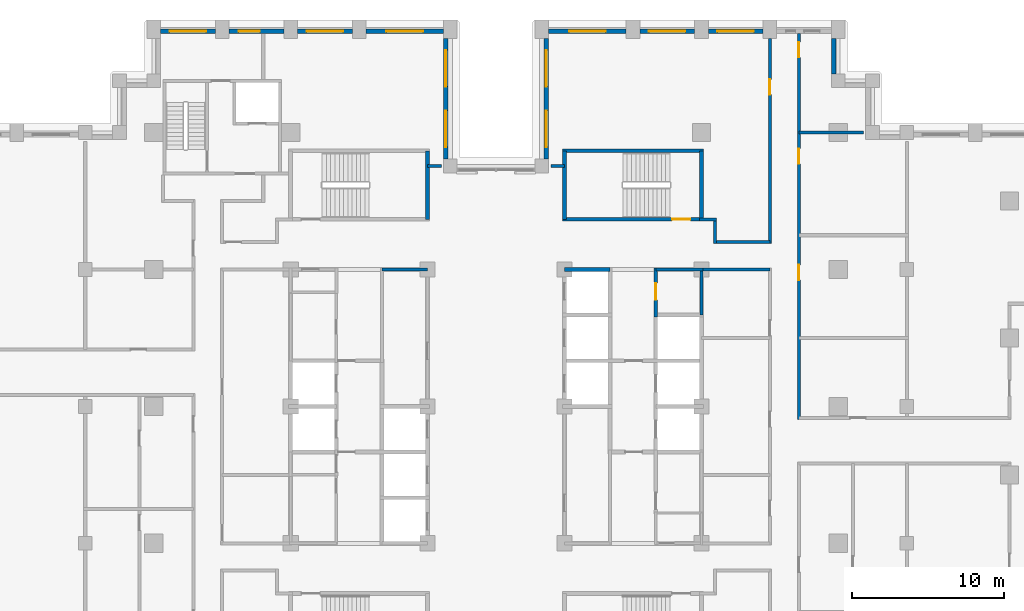
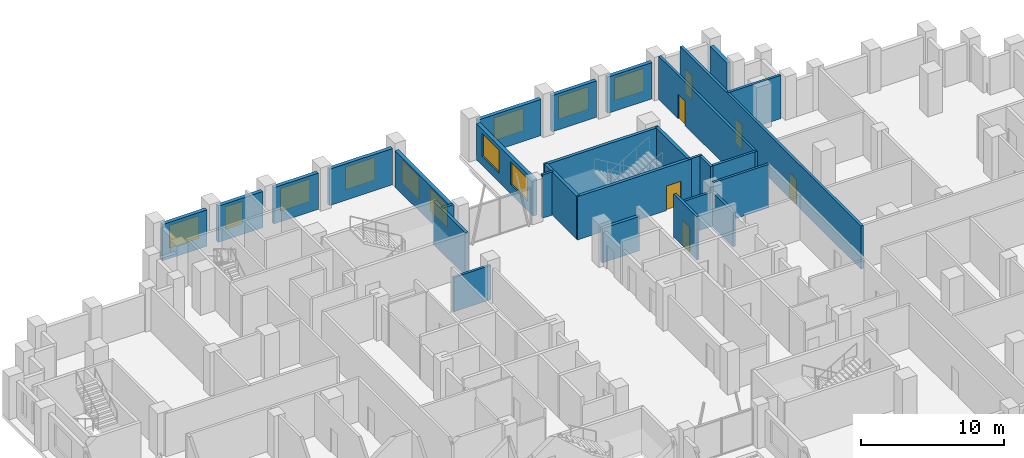
# One storey, part 11 of 16: 29 walls, 11 windows, 6 doors, 17 openings.
"""IFC4 building model written with IfcOpenShell, lengths in metres."""

import ifcopenshell
import ifcopenshell.guid

model = None  # the IFC model being written
_history = None  # IfcOwnerHistory: only IFC2X3 demands one
_inside = {}  # id of a spatial element -> (the spatial element, [elements in it])
_under = {}  # id of a project, library or spatial element -> (it, [spatial elements below it])
_declared = {}  # id of a project -> (the project, [libraries it declares])
_typed = {}  # id of a type object -> (the type object, [elements of that type])
_made_of = {}  # id of a material, layer set ... -> (it, [elements and type objects made of it])


def new_model(schema):
    """Start an empty IFC model of exactly this schema.

    Asked for "IFC4X3", IfcOpenShell would pick the latest addendum, in which some entities
    have other attributes; the version numbers below select the first issue.
    IFC2X3 requires an IfcOwnerHistory on every rooted entity: one is made here for all.
    """
    global model, _history
    if schema == "IFC4X3":
        model = ifcopenshell.file(schema_version=(4, 3, 0, 0))
    else:
        model = ifcopenshell.file(schema=schema)
    _inside.clear()
    _under.clear()
    _declared.clear()
    _typed.clear()
    _made_of.clear()
    _history = None
    if model.schema == "IFC2X3":
        org = make("IfcOrganization", Name="unknown")
        user = make(
            "IfcPersonAndOrganization",
            ThePerson=make("IfcPerson", FamilyName="unknown"),
            TheOrganization=org,
        )
        app = make(
            "IfcApplication",
            ApplicationDeveloper=org,
            Version="unknown",
            ApplicationFullName="unknown",
            ApplicationIdentifier="unknown",
        )
        _history = make(
            "IfcOwnerHistory",
            OwningUser=user,
            OwningApplication=app,
            ChangeAction="ADDED",
            CreationDate=0,
        )
    return model


def make(cls, **values):
    """One entity of the class cls with the attributes given. An attribute that is None is left unset."""
    return model.create_entity(
        cls, **{name: value for name, value in values.items() if value is not None}
    )


def rooted(cls, **values):
    """An entity with a GlobalId (a new one), such as an element, a storey or a relation."""
    return make(cls, GlobalId=ifcopenshell.guid.new(), OwnerHistory=_history, **values)


def si_unit(unit_type, name, prefix=None):
    """IfcSIUnit, for example si_unit("LENGTHUNIT", "METRE", prefix="MILLI")."""
    return make("IfcSIUnit", UnitType=unit_type, Prefix=prefix, Name=name)


def assignment(units):
    """IfcUnitAssignment: the units of a project."""
    return None if units is None else make("IfcUnitAssignment", Units=units)


def point(xyz):
    """IfcCartesianPoint."""
    return None if xyz is None else make("IfcCartesianPoint", Coordinates=xyz)


def direction(xyz):
    """IfcDirection."""
    return None if xyz is None else make("IfcDirection", DirectionRatios=xyz)


def frame(location, z_axis=None, x_axis=None):
    """IfcAxis2Placement3D, a coordinate frame: its origin and axes. An axis left out is left unset."""
    return make(
        "IfcAxis2Placement3D",
        Location=point(location),
        Axis=direction(z_axis),
        RefDirection=direction(x_axis),
    )


def frame_2d(location, x_axis=None):
    """IfcAxis2Placement2D, a coordinate frame in the plane: its origin and x axis."""
    return make(
        "IfcAxis2Placement2D", Location=point(location), RefDirection=direction(x_axis)
    )


def origin():
    """The frame at (0, 0, 0) with its axes left unset."""
    return frame((0.0, 0.0, 0.0))


def place(relative_to, where):
    """IfcLocalPlacement: puts the frame where relative to a parent placement (None: the world)."""
    return make(
        "IfcLocalPlacement", PlacementRelTo=relative_to, RelativePlacement=where
    )


def context(
    kind, dimensions, precision=None, world=None, true_north=None, identifier=None
):
    """IfcGeometricRepresentationContext, for example the 3D "Model" context."""
    return make(
        "IfcGeometricRepresentationContext",
        ContextIdentifier=identifier,
        ContextType=kind,
        CoordinateSpaceDimension=dimensions,
        Precision=precision,
        WorldCoordinateSystem=world,
        TrueNorth=true_north,
    )


def subcontext(parent, identifier, kind, view, scale=None):
    """IfcGeometricRepresentationSubContext, for example "Body" below "Model"."""
    return make(
        "IfcGeometricRepresentationSubContext",
        ContextIdentifier=identifier,
        ContextType=kind,
        ParentContext=parent,
        TargetScale=scale,
        TargetView=view,
    )


def project(units=None, contexts=None):
    """IfcProject with its units and contexts."""
    return rooted(
        "IfcProject",
        Name="project",
        RepresentationContexts=contexts,
        UnitsInContext=assignment(units),
    )


def spatial(cls, under=None, at=None, **own):
    """A site, building, storey or space (cls), placed at a placement, below another one or the project."""
    s = rooted(cls, ObjectPlacement=at, **own)
    if under is not None:
        _under.setdefault(under.id(), (under, []))[1].append(s)
    return s


def profile(cls, at=None, kind="AREA", **sizes):
    """A parametric profile (cls). Its sizes go by their IFC names, for example OverallWidth=200.0."""
    return make(cls, ProfileType=kind, Position=at, **sizes)


def rectangle(**sizes):
    """IfcRectangleProfileDef."""
    return profile("IfcRectangleProfileDef", **sizes)


def extrude(swept, where, along, depth):
    """IfcExtrudedAreaSolid: the profile swept, set in the frame where, extruded along a direction by depth."""
    return make(
        "IfcExtrudedAreaSolid",
        SweptArea=swept,
        Position=where,
        ExtrudedDirection=direction(along),
        Depth=depth,
    )


def shape(context_of_items, identifier, shape_type, items):
    """IfcShapeRepresentation: the items that make up one representation, for example the "Body"."""
    return make(
        "IfcShapeRepresentation",
        ContextOfItems=context_of_items,
        RepresentationIdentifier=identifier,
        RepresentationType=shape_type,
        Items=items,
    )


def material(Name=None, Category=None):
    """IfcMaterial."""
    return make("IfcMaterial", Name=Name, Category=Category)


def layer(
    of_material, thickness, ventilated=None, Name=None, Category=None, Priority=None
):
    """IfcMaterialLayer: one layer of a wall or slab, of a material (None: an air gap)."""
    return make(
        "IfcMaterialLayer",
        Material=of_material,
        LayerThickness=thickness,
        IsVentilated=ventilated,
        Name=Name,
        Category=Category,
        Priority=Priority,
    )


def layer_set(layers, Name=None):
    """IfcMaterialLayerSet."""
    return make("IfcMaterialLayerSet", MaterialLayers=layers, LayerSetName=Name)


def made_of(thing, what):
    """Note that an element or type object is made of a material, layer set ...; save() writes the relation."""
    if what is not None:
        _made_of.setdefault(what.id(), (what, []))[1].append(thing)
    return thing


def type_object(cls, material=None, **own):
    """A type object (cls), such as IfcWallType, which elements share."""
    return made_of(rooted(cls, **own), material)


def element(
    cls,
    number,
    at=None,
    inside=None,
    cuts=None,
    type_object=None,
    material=None,
    context=None,
    identifier="Body",
    shape_type=None,
    held_by="IfcProductDefinitionShape",
    body=None,
    shapes=None,
    **own,
):
    """One element of the class cls, such as IfcWall. Its Tag is "e" and its number.

    at: its placement. inside: the storey or other place that contains it. cuts: it is an
    opening in that element (IfcRelVoidsElement). A single representation is given by context,
    identifier, shape_type and body (its items); several are given by shapes. held_by: the class
    of the entity that holds the representations. save() writes the other relations.
    """
    e = rooted(cls, Tag="e%d" % number, ObjectPlacement=at, **own)
    if body is not None:
        shapes = [shape(context, identifier, shape_type, body)]
    if shapes is not None:
        e.Representation = make(held_by, Representations=shapes)
    if inside is not None:
        _inside.setdefault(inside.id(), (inside, []))[1].append(e)
    if cuts is not None:
        rooted(
            "IfcRelVoidsElement", RelatingBuildingElement=cuts, RelatedOpeningElement=e
        )
    if type_object is not None:
        _typed.setdefault(type_object.id(), (type_object, []))[1].append(e)
    return made_of(e, material)


def fill(opening, filler):
    """IfcRelFillsElement: the door or window that sits in an opening."""
    return rooted(
        "IfcRelFillsElement",
        RelatingOpeningElement=opening,
        RelatedBuildingElement=filler,
    )


def aggregate(whole, parts):
    """IfcRelAggregates: a whole, such as a stair, and the parts it consists of."""
    return rooted("IfcRelAggregates", RelatingObject=whole, RelatedObjects=parts)


def save(model, path):
    """Write the relations noted so far, then the file.

    IfcRelAggregates (storeys below a building ...), IfcRelContainedInSpatialStructure (elements
    in a storey), IfcRelDefinesByType, IfcRelAssociatesMaterial and IfcRelDeclares: one each for
    every whole, place, type object, material and project.
    """
    for whole, parts in _under.values():
        aggregate(whole, parts)
    for where, things in _inside.values():
        rooted(
            "IfcRelContainedInSpatialStructure",
            RelatedElements=things,
            RelatingStructure=where,
        )
    for kind, things in _typed.values():
        rooted("IfcRelDefinesByType", RelatedObjects=things, RelatingType=kind)
    for what, things in _made_of.values():
        rooted("IfcRelAssociatesMaterial", RelatedObjects=things, RelatingMaterial=what)
    for by, libraries in _declared.values():
        rooted("IfcRelDeclares", RelatingContext=by, RelatedDefinitions=libraries)
    model.write(path)


model = new_model("IFC4")

# Units and contexts
model_context = context("Model", 3, precision=1e-05, world=origin(), true_north=direction((0.0, 1.0)))
body_context = subcontext(model_context, "Body", "Model", "MODEL_VIEW")
ifc_project = project(units=[si_unit("LENGTHUNIT", "METRE"), si_unit("AREAUNIT", "SQUARE_METRE"), si_unit("VOLUMEUNIT", "CUBIC_METRE"), si_unit("PLANEANGLEUNIT", "RADIAN"), si_unit("MASSUNIT", "GRAM", prefix="KILO")], contexts=[model_context])

# Site, building, storey
site_placement = place(None, origin())
site = spatial("IfcSite", under=ifc_project, at=site_placement, CompositionType="ELEMENT")
building_placement = place(site_placement, origin())
building = spatial("IfcBuilding", under=site, at=building_placement, Name="Corbelhall Arena Tower", CompositionType="ELEMENT")
storey_placement = place(building_placement, frame((0.0, 0.0, 112.0)))
storey = spatial("IfcBuildingStorey", under=building, at=storey_placement, Name="L20", CompositionType="ELEMENT", Elevation=112.0)

# Wall
ifc_material_1 = material(Name="Precast concrete C40/50 with granite facing", Category="masonry")
ifc_layer_1 = layer(ifc_material_1, 0.300048828125)
ifc_layer_set_1 = layer_set([ifc_layer_1], Name="EV-IW1 Infill panel 300")
wall_type_1 = type_object("IfcWallType", Name="EV-IW1 Infill panel 300", PredefinedType="SOLIDWALL", material=ifc_layer_set_1)
wall_1_placement = place(storey_placement, frame((22.199951171875, 21.85009765625, 0.0), z_axis=(0.0, 0.0, 1.0), x_axis=(0.0, 1.0, 0.0)))
element("IfcWall", 1, at=wall_1_placement, inside=storey, type_object=wall_type_1, Name="Infill panel IW1", PredefinedType="SOLIDWALL", context=body_context, shape_type="SweptSolid", body=[
    extrude(rectangle(XDim=2.349853515625, YDim=0.300048828125, at=frame_2d((1.1748046875, 0.0))), origin(), (0.0, 0.0, 1.0), 3.10009765625),
])

# Wall, opening, window
wall_2_placement = place(storey_placement, frame((17.550048828125, 24.64990234375, 0.0), z_axis=(0.0, 0.0, 1.0), x_axis=(-1.0, 0.0, 0.0)))
wall_2 = element("IfcWall", 2, at=wall_2_placement, inside=storey, type_object=wall_type_1, Name="Infill panel IW1", PredefinedType="SOLIDWALL", context=body_context, shape_type="SweptSolid", body=[
    extrude(rectangle(XDim=3.60009765625, YDim=0.300048828125, at=frame_2d((1.800048828125, 0.0))), origin(), (0.0, 0.0, 1.0), 3.10009765625),
])
opening_1_placement = place(wall_2_placement, frame((0.60009765625, 0.0, 0.800048828125)))
opening_1 = element("IfcOpeningElement", 3, at=opening_1_placement, cuts=wall_2, Name="Opening WN1", PredefinedType="OPENING", context=body_context, shape_type="SweptSolid", body=[
    extrude(rectangle(XDim=2.39990234375, YDim=1.949951171875, at=frame_2d((1.199951171875, 0.97509765625))), frame((0.0, 0.14990234375, 0.0), z_axis=(0.0, -1.0, 0.0), x_axis=(1.0, 0.0, 0.0)), (0.0, 0.0, 1.0), 0.300048828125),
])
ifc_material_2 = material(Name="Aluminium black anodised", Category="aluminium")
window_type_1 = type_object("IfcWindowType", Name="EV-WN1 Office window", PartitioningType="SINGLE_PANEL", PredefinedType="WINDOW", material=ifc_material_2)
window_1_placement = place(opening_1_placement, origin())
window_1 = element("IfcWindow", 4, at=window_1_placement, inside=storey, type_object=window_type_1, Name="Window WN1", OverallHeight=1.949951171875, OverallWidth=2.39990234375, PartitioningType="SINGLE_PANEL", PredefinedType="WINDOW", context=body_context, shape_type="SweptSolid", body=[
    extrude(rectangle(XDim=2.39990234375, YDim=1.949951171875, at=frame_2d((1.199951171875, 0.97509765625))), frame((0.0, 0.030029296875, 0.0), z_axis=(0.0, -1.0, 0.0), x_axis=(1.0, 0.0, 0.0)), (0.0, 0.0, 1.0), 0.06005859375),
])
fill(opening_1, window_1)

wall_3_placement = place(storey_placement, frame((13.050048828125, 24.64990234375, 0.0), z_axis=(0.0, 0.0, 1.0), x_axis=(-1.0, 0.0, 0.0)))
wall_3 = element("IfcWall", 5, at=wall_3_placement, inside=storey, type_object=wall_type_1, Name="Infill panel IW1", PredefinedType="SOLIDWALL", context=body_context, shape_type="SweptSolid", body=[
    extrude(rectangle(XDim=3.60009765625, YDim=0.300048828125, at=frame_2d((1.800048828125, 0.0))), origin(), (0.0, 0.0, 1.0), 3.10009765625),
])
opening_2_placement = place(wall_3_placement, frame((0.60009765625, 0.0, 0.800048828125)))
opening_2 = element("IfcOpeningElement", 6, at=opening_2_placement, cuts=wall_3, Name="Opening WN1", PredefinedType="OPENING", context=body_context, shape_type="SweptSolid", body=[
    extrude(rectangle(XDim=2.39990234375, YDim=1.949951171875, at=frame_2d((1.199951171875, 0.97509765625))), frame((0.0, 0.14990234375, 0.0), z_axis=(0.0, -1.0, 0.0), x_axis=(1.0, 0.0, 0.0)), (0.0, 0.0, 1.0), 0.300048828125),
])
window_2_placement = place(opening_2_placement, origin())
window_2 = element("IfcWindow", 7, at=window_2_placement, inside=storey, type_object=window_type_1, Name="Window WN1", OverallHeight=1.949951171875, OverallWidth=2.39990234375, PartitioningType="SINGLE_PANEL", PredefinedType="WINDOW", context=body_context, shape_type="SweptSolid", body=[
    extrude(rectangle(XDim=2.39990234375, YDim=1.949951171875, at=frame_2d((1.199951171875, 0.97509765625))), frame((0.0, 0.030029296875, 0.0), z_axis=(0.0, -1.0, 0.0), x_axis=(1.0, 0.0, 0.0)), (0.0, 0.0, 1.0), 0.06005859375),
])
fill(opening_2, window_2)

wall_4_placement = place(storey_placement, frame((8.550048828125, 24.64990234375, 0.0), z_axis=(0.0, 0.0, 1.0), x_axis=(-1.0, 0.0, 0.0)))
wall_4 = element("IfcWall", 8, at=wall_4_placement, inside=storey, type_object=wall_type_1, Name="Infill panel IW1", PredefinedType="SOLIDWALL", context=body_context, shape_type="SweptSolid", body=[
    extrude(rectangle(XDim=5.10009765625, YDim=0.300048828125, at=frame_2d((2.550048828125, 0.0))), origin(), (0.0, 0.0, 1.0), 3.10009765625),
])
opening_3_placement = place(wall_4_placement, frame((1.35009765625, 0.0, 0.800048828125)))
opening_3 = element("IfcOpeningElement", 9, at=opening_3_placement, cuts=wall_4, Name="Opening WN1", PredefinedType="OPENING", context=body_context, shape_type="SweptSolid", body=[
    extrude(rectangle(XDim=2.39990234375, YDim=1.949951171875, at=frame_2d((1.199951171875, 0.97509765625))), frame((0.0, 0.14990234375, 0.0), z_axis=(0.0, -1.0, 0.0), x_axis=(1.0, 0.0, 0.0)), (0.0, 0.0, 1.0), 0.300048828125),
])
window_3_placement = place(opening_3_placement, origin())
window_3 = element("IfcWindow", 10, at=window_3_placement, inside=storey, type_object=window_type_1, Name="Window WN1", OverallHeight=1.949951171875, OverallWidth=2.39990234375, PartitioningType="SINGLE_PANEL", PredefinedType="WINDOW", context=body_context, shape_type="SweptSolid", body=[
    extrude(rectangle(XDim=2.39990234375, YDim=1.949951171875, at=frame_2d((1.199951171875, 0.97509765625))), frame((0.0, 0.030029296875, 0.0), z_axis=(0.0, -1.0, 0.0), x_axis=(1.0, 0.0, 0.0)), (0.0, 0.0, 1.0), 0.06005859375),
])
fill(opening_3, window_3)

# Wall, openings, windows
wall_5_placement = place(storey_placement, frame((3.300048828125, 24.199951171875, 0.0), z_axis=(0.0, 0.0, 1.0), x_axis=(0.0, -1.0, 0.0)))
wall_5 = element("IfcWall", 11, at=wall_5_placement, inside=storey, type_object=wall_type_1, Name="Infill panel IW1", PredefinedType="SOLIDWALL", context=body_context, shape_type="SweptSolid", body=[
    extrude(rectangle(XDim=7.949951171875, YDim=0.300048828125, at=frame_2d((3.97509765625, 0.0))), origin(), (0.0, 0.0, 1.0), 3.10009765625),
])
opening_4_placement = place(wall_5_placement, frame((0.78759765625, 0.0, 0.800048828125)))
opening_4 = element("IfcOpeningElement", 12, at=opening_4_placement, cuts=wall_5, Name="Opening WN1", PredefinedType="OPENING", context=body_context, shape_type="SweptSolid", body=[
    extrude(rectangle(XDim=2.39990234375, YDim=1.949951171875, at=frame_2d((1.199951171875, 0.97509765625))), frame((0.0, 0.14990234375, 0.0), z_axis=(0.0, -1.0, 0.0), x_axis=(1.0, 0.0, 0.0)), (0.0, 0.0, 1.0), 0.300048828125),
])
opening_5_placement = place(wall_5_placement, frame((4.762451171875, 0.0, 0.800048828125)))
opening_5 = element("IfcOpeningElement", 13, at=opening_5_placement, cuts=wall_5, Name="Opening WN1", PredefinedType="OPENING", context=body_context, shape_type="SweptSolid", body=[
    extrude(rectangle(XDim=2.39990234375, YDim=1.949951171875, at=frame_2d((1.199951171875, 0.97509765625))), frame((0.0, 0.14990234375, 0.0), z_axis=(0.0, -1.0, 0.0), x_axis=(1.0, 0.0, 0.0)), (0.0, 0.0, 1.0), 0.300048828125),
])
window_4_placement = place(opening_4_placement, origin())
window_4 = element("IfcWindow", 14, at=window_4_placement, inside=storey, type_object=window_type_1, Name="Window WN1", OverallHeight=1.949951171875, OverallWidth=2.39990234375, PartitioningType="SINGLE_PANEL", PredefinedType="WINDOW", context=body_context, shape_type="SweptSolid", body=[
    extrude(rectangle(XDim=2.39990234375, YDim=1.949951171875, at=frame_2d((1.199951171875, 0.97509765625))), frame((0.0, 0.030029296875, 0.0), z_axis=(0.0, -1.0, 0.0), x_axis=(1.0, 0.0, 0.0)), (0.0, 0.0, 1.0), 0.06005859375),
])
fill(opening_4, window_4)
window_5_placement = place(opening_5_placement, origin())
window_5 = element("IfcWindow", 15, at=window_5_placement, inside=storey, type_object=window_type_1, Name="Window WN1", OverallHeight=1.949951171875, OverallWidth=2.39990234375, PartitioningType="SINGLE_PANEL", PredefinedType="WINDOW", context=body_context, shape_type="SweptSolid", body=[
    extrude(rectangle(XDim=2.39990234375, YDim=1.949951171875, at=frame_2d((1.199951171875, 0.97509765625))), frame((0.0, 0.030029296875, 0.0), z_axis=(0.0, -1.0, 0.0), x_axis=(1.0, 0.0, 0.0)), (0.0, 0.0, 1.0), 0.06005859375),
])
fill(opening_5, window_5)

wall_6_placement = place(storey_placement, frame((-3.300048828125, 16.25, 0.0), z_axis=(0.0, 0.0, 1.0), x_axis=(0.0, 1.0, 0.0)))
wall_6 = element("IfcWall", 16, at=wall_6_placement, inside=storey, type_object=wall_type_1, Name="Infill panel IW1", PredefinedType="SOLIDWALL", context=body_context, shape_type="SweptSolid", body=[
    extrude(rectangle(XDim=7.949951171875, YDim=0.300048828125, at=frame_2d((3.97509765625, 0.0))), origin(), (0.0, 0.0, 1.0), 3.10009765625),
])
opening_6_placement = place(wall_6_placement, frame((0.78759765625, 0.0, 0.800048828125)))
opening_6 = element("IfcOpeningElement", 17, at=opening_6_placement, cuts=wall_6, Name="Opening WN1", PredefinedType="OPENING", context=body_context, shape_type="SweptSolid", body=[
    extrude(rectangle(XDim=2.39990234375, YDim=1.949951171875, at=frame_2d((1.199951171875, 0.97509765625))), frame((0.0, 0.14990234375, 0.0), z_axis=(0.0, -1.0, 0.0), x_axis=(1.0, 0.0, 0.0)), (0.0, 0.0, 1.0), 0.300048828125),
])
opening_7_placement = place(wall_6_placement, frame((4.762451171875, 0.0, 0.800048828125)))
opening_7 = element("IfcOpeningElement", 18, at=opening_7_placement, cuts=wall_6, Name="Opening WN1", PredefinedType="OPENING", context=body_context, shape_type="SweptSolid", body=[
    extrude(rectangle(XDim=2.39990234375, YDim=1.949951171875, at=frame_2d((1.199951171875, 0.97509765625))), frame((0.0, 0.14990234375, 0.0), z_axis=(0.0, -1.0, 0.0), x_axis=(1.0, 0.0, 0.0)), (0.0, 0.0, 1.0), 0.300048828125),
])
window_6_placement = place(opening_6_placement, origin())
window_6 = element("IfcWindow", 19, at=window_6_placement, inside=storey, type_object=window_type_1, Name="Window WN1", OverallHeight=1.949951171875, OverallWidth=2.39990234375, PartitioningType="SINGLE_PANEL", PredefinedType="WINDOW", context=body_context, shape_type="SweptSolid", body=[
    extrude(rectangle(XDim=2.39990234375, YDim=1.949951171875, at=frame_2d((1.199951171875, 0.97509765625))), frame((0.0, 0.030029296875, 0.0), z_axis=(0.0, -1.0, 0.0), x_axis=(1.0, 0.0, 0.0)), (0.0, 0.0, 1.0), 0.06005859375),
])
fill(opening_6, window_6)
window_7_placement = place(opening_7_placement, origin())
window_7 = element("IfcWindow", 20, at=window_7_placement, inside=storey, type_object=window_type_1, Name="Window WN1", OverallHeight=1.949951171875, OverallWidth=2.39990234375, PartitioningType="SINGLE_PANEL", PredefinedType="WINDOW", context=body_context, shape_type="SweptSolid", body=[
    extrude(rectangle(XDim=2.39990234375, YDim=1.949951171875, at=frame_2d((1.199951171875, 0.97509765625))), frame((0.0, 0.030029296875, 0.0), z_axis=(0.0, -1.0, 0.0), x_axis=(1.0, 0.0, 0.0)), (0.0, 0.0, 1.0), 0.06005859375),
])
fill(opening_7, window_7)

# Wall, opening, window
wall_7_placement = place(storey_placement, frame((-3.449951171875, 24.64990234375, 0.0), z_axis=(0.0, 0.0, 1.0), x_axis=(-1.0, 0.0, 0.0)))
wall_7 = element("IfcWall", 21, at=wall_7_placement, inside=storey, type_object=wall_type_1, Name="Infill panel IW1", PredefinedType="SOLIDWALL", context=body_context, shape_type="SweptSolid", body=[
    extrude(rectangle(XDim=5.10009765625, YDim=0.300048828125, at=frame_2d((2.550048828125, 0.0))), origin(), (0.0, 0.0, 1.0), 3.10009765625),
])
opening_8_placement = place(wall_7_placement, frame((1.35009765625, 0.0, 0.800048828125)))
opening_8 = element("IfcOpeningElement", 22, at=opening_8_placement, cuts=wall_7, Name="Opening WN1", PredefinedType="OPENING", context=body_context, shape_type="SweptSolid", body=[
    extrude(rectangle(XDim=2.39990234375, YDim=1.949951171875, at=frame_2d((1.199951171875, 0.97509765625))), frame((0.0, 0.14990234375, 0.0), z_axis=(0.0, -1.0, 0.0), x_axis=(1.0, 0.0, 0.0)), (0.0, 0.0, 1.0), 0.300048828125),
])
window_8_placement = place(opening_8_placement, origin())
window_8 = element("IfcWindow", 23, at=window_8_placement, inside=storey, type_object=window_type_1, Name="Window WN1", OverallHeight=1.949951171875, OverallWidth=2.39990234375, PartitioningType="SINGLE_PANEL", PredefinedType="WINDOW", context=body_context, shape_type="SweptSolid", body=[
    extrude(rectangle(XDim=2.39990234375, YDim=1.949951171875, at=frame_2d((1.199951171875, 0.97509765625))), frame((0.0, 0.030029296875, 0.0), z_axis=(0.0, -1.0, 0.0), x_axis=(1.0, 0.0, 0.0)), (0.0, 0.0, 1.0), 0.06005859375),
])
fill(opening_8, window_8)

wall_8_placement = place(storey_placement, frame((-9.449951171875, 24.64990234375, 0.0), z_axis=(0.0, 0.0, 1.0), x_axis=(-1.0, 0.0, 0.0)))
wall_8 = element("IfcWall", 24, at=wall_8_placement, inside=storey, type_object=wall_type_1, Name="Infill panel IW1", PredefinedType="SOLIDWALL", context=body_context, shape_type="SweptSolid", body=[
    extrude(rectangle(XDim=3.60009765625, YDim=0.300048828125, at=frame_2d((1.800048828125, 0.0))), origin(), (0.0, 0.0, 1.0), 3.10009765625),
])
opening_9_placement = place(wall_8_placement, frame((0.60009765625, 0.0, 0.800048828125)))
opening_9 = element("IfcOpeningElement", 25, at=opening_9_placement, cuts=wall_8, Name="Opening WN1", PredefinedType="OPENING", context=body_context, shape_type="SweptSolid", body=[
    extrude(rectangle(XDim=2.39990234375, YDim=1.949951171875, at=frame_2d((1.199951171875, 0.97509765625))), frame((0.0, 0.14990234375, 0.0), z_axis=(0.0, -1.0, 0.0), x_axis=(1.0, 0.0, 0.0)), (0.0, 0.0, 1.0), 0.300048828125),
])
window_9_placement = place(opening_9_placement, origin())
window_9 = element("IfcWindow", 26, at=window_9_placement, inside=storey, type_object=window_type_1, Name="Window WN1", OverallHeight=1.949951171875, OverallWidth=2.39990234375, PartitioningType="SINGLE_PANEL", PredefinedType="WINDOW", context=body_context, shape_type="SweptSolid", body=[
    extrude(rectangle(XDim=2.39990234375, YDim=1.949951171875, at=frame_2d((1.199951171875, 0.97509765625))), frame((0.0, 0.030029296875, 0.0), z_axis=(0.0, -1.0, 0.0), x_axis=(1.0, 0.0, 0.0)), (0.0, 0.0, 1.0), 0.06005859375),
])
fill(opening_9, window_9)

wall_9_placement = place(storey_placement, frame((-13.949951171875, 24.64990234375, 0.0), z_axis=(0.0, 0.0, 1.0), x_axis=(-1.0, 0.0, 0.0)))
wall_9 = element("IfcWall", 27, at=wall_9_placement, inside=storey, type_object=wall_type_1, Name="Infill panel IW1", PredefinedType="SOLIDWALL", context=body_context, shape_type="SweptSolid", body=[
    extrude(rectangle(XDim=3.60009765625, YDim=0.300048828125, at=frame_2d((1.800048828125, 0.0))), origin(), (0.0, 0.0, 1.0), 3.10009765625),
])
opening_10_placement = place(wall_9_placement, frame((1.574951171875, 0.0, 0.800048828125)))
opening_10 = element("IfcOpeningElement", 28, at=opening_10_placement, cuts=wall_9, Name="Opening WN7", PredefinedType="OPENING", context=body_context, shape_type="SweptSolid", body=[
    extrude(rectangle(XDim=1.39990234375, YDim=1.949951171875, at=frame_2d((0.699951171875, 0.97509765625))), frame((0.0, 0.14990234375, 0.0), z_axis=(0.0, -1.0, 0.0), x_axis=(1.0, 0.0, 0.0)), (0.0, 0.0, 1.0), 0.300048828125),
])
window_type_2 = type_object("IfcWindowType", Name="EV-WN7 Office window 1400", PartitioningType="SINGLE_PANEL", PredefinedType="WINDOW", material=ifc_material_2)
window_10_placement = place(opening_10_placement, origin())
window_10 = element("IfcWindow", 29, at=window_10_placement, inside=storey, type_object=window_type_2, Name="Window WN7", OverallHeight=1.949951171875, OverallWidth=1.39990234375, PartitioningType="SINGLE_PANEL", PredefinedType="WINDOW", context=body_context, shape_type="SweptSolid", body=[
    extrude(rectangle(XDim=1.39990234375, YDim=1.949951171875, at=frame_2d((0.699951171875, 0.97509765625))), frame((0.0, 0.030029296875, 0.0), z_axis=(0.0, -1.0, 0.0), x_axis=(1.0, 0.0, 0.0)), (0.0, 0.0, 1.0), 0.06005859375),
])
fill(opening_10, window_10)

wall_10_placement = place(storey_placement, frame((-18.449951171875, 24.64990234375, 0.0), z_axis=(0.0, 0.0, 1.0), x_axis=(-1.0, 0.0, 0.0)))
wall_10 = element("IfcWall", 30, at=wall_10_placement, inside=storey, type_object=wall_type_1, Name="Infill panel IW1", PredefinedType="SOLIDWALL", context=body_context, shape_type="SweptSolid", body=[
    extrude(rectangle(XDim=3.60009765625, YDim=0.300048828125, at=frame_2d((1.800048828125, 0.0))), origin(), (0.0, 0.0, 1.0), 3.10009765625),
])
opening_11_placement = place(wall_10_placement, frame((0.60009765625, 0.0, 0.800048828125)))
opening_11 = element("IfcOpeningElement", 31, at=opening_11_placement, cuts=wall_10, Name="Opening WN1", PredefinedType="OPENING", context=body_context, shape_type="SweptSolid", body=[
    extrude(rectangle(XDim=2.39990234375, YDim=1.949951171875, at=frame_2d((1.199951171875, 0.97509765625))), frame((0.0, 0.14990234375, 0.0), z_axis=(0.0, -1.0, 0.0), x_axis=(1.0, 0.0, 0.0)), (0.0, 0.0, 1.0), 0.300048828125),
])
window_11_placement = place(opening_11_placement, origin())
window_11 = element("IfcWindow", 32, at=window_11_placement, inside=storey, type_object=window_type_1, Name="Window WN1", OverallHeight=1.949951171875, OverallWidth=2.39990234375, PartitioningType="SINGLE_PANEL", PredefinedType="WINDOW", context=body_context, shape_type="SweptSolid", body=[
    extrude(rectangle(XDim=2.39990234375, YDim=1.949951171875, at=frame_2d((1.199951171875, 0.97509765625))), frame((0.0, 0.030029296875, 0.0), z_axis=(0.0, -1.0, 0.0), x_axis=(1.0, 0.0, 0.0)), (0.0, 0.0, 1.0), 0.06005859375),
])
fill(opening_11, window_11)

# Walls
ifc_material_3 = material(Name="Gypsum board on steel stud, acoustic", Category="steel")
ifc_layer_2 = layer(ifc_material_3, 0.199951171875)
ifc_layer_set_2 = layer_set([ifc_layer_2], Name="IN-W-DM200")
wall_type_2 = type_object("IfcWallType", Name="IN-W-DM200", PredefinedType="PARTITIONING", material=ifc_layer_set_2)
for number, where, z_axis, x_axis, name in (
    (33, (-4.5, 15.800048828125, 0.0), (0.0, 0.0, 1.0), (1.0, 0.0, 0.0), "Partition 032"),
    (34, (3.60009765625, 15.800048828125, 0.0), (0.0, 0.0, 1.0), (1.0, 0.0, 0.0), "Partition 034"),
):
    element("IfcWall", number, at=place(storey_placement, frame(where, z_axis=z_axis, x_axis=x_axis)), inside=storey, type_object=wall_type_2, Name=name, PredefinedType="PARTITIONING", context=body_context, shape_type="SweptSolid", body=[
        extrude(rectangle(XDim=0.89990234375, YDim=0.199951171875, at=frame_2d((0.449951171875, 0.0))), origin(), (0.0, 0.0, 1.0), 3.699951171875),
    ])
wall_11_placement = place(storey_placement, frame((13.375, 12.300048828125, 0.0), z_axis=(0.0, 0.0, 1.0), x_axis=(1.0, 0.0, 0.0)))
element("IfcWall", 35, at=wall_11_placement, inside=storey, type_object=wall_type_2, Name="Partition 036", PredefinedType="PARTITIONING", context=body_context, shape_type="SweptSolid", body=[
    extrude(rectangle(XDim=1.125, YDim=0.199951171875, at=frame_2d((0.5625, 0.0))), origin(), (0.0, 0.0, 1.0), 3.699951171875),
])
wall_12_placement = place(storey_placement, frame((18.0, 9.0, 0.0), z_axis=(0.0, 0.0, 1.0), x_axis=(-1.0, 0.0, 0.0)))
element("IfcWall", 36, at=wall_12_placement, inside=storey, type_object=wall_type_2, Name="Partition 042", PredefinedType="PARTITIONING", context=body_context, shape_type="SweptSolid", body=[
    extrude(rectangle(XDim=4.5, YDim=0.199951171875, at=frame_2d((2.25, 0.0))), origin(), (0.0, 0.0, 1.0), 3.699951171875),
])
wall_13_placement = place(storey_placement, frame((14.39990234375, 10.800048828125, 0.0), z_axis=(0.0, 0.0, 1.0), x_axis=(1.0, 0.0, 0.0)))
element("IfcWall", 37, at=wall_13_placement, inside=storey, type_object=wall_type_2, Name="Partition 043", PredefinedType="PARTITIONING", context=body_context, shape_type="SweptSolid", body=[
    extrude(rectangle(XDim=3.60009765625, YDim=0.199951171875, at=frame_2d((1.800048828125, 0.0))), origin(), (0.0, 0.0, 1.0), 3.699951171875),
])
wall_14_placement = place(storey_placement, frame((14.39990234375, 12.300048828125, 0.0), z_axis=(0.0, 0.0, 1.0), x_axis=(0.0, -1.0, 0.0)))
element("IfcWall", 38, at=wall_14_placement, inside=storey, type_object=wall_type_2, Name="Partition 044", PredefinedType="PARTITIONING", context=body_context, shape_type="SweptSolid", body=[
    extrude(rectangle(XDim=1.60009765625, YDim=0.199951171875, at=frame_2d((0.800048828125, 0.0))), origin(), (0.0, 0.0, 1.0), 3.699951171875),
])

# Wall, opening, door
wall_15_placement = place(storey_placement, frame((18.0, 10.699951171875, 0.0), z_axis=(0.0, 0.0, 1.0), x_axis=(0.0, 1.0, 0.0)))
wall_15 = element("IfcWall", 39, at=wall_15_placement, inside=storey, type_object=wall_type_2, Name="Partition 048", PredefinedType="PARTITIONING", context=body_context, shape_type="SweptSolid", body=[
    extrude(rectangle(XDim=13.5, YDim=0.199951171875, at=frame_2d((6.75, 0.0))), origin(), (0.0, 0.0, 1.0), 3.699951171875),
])
opening_12_placement = place(wall_15_placement, frame((9.800048828125, 0.0, 0.0)))
opening_12 = element("IfcOpeningElement", 40, at=opening_12_placement, cuts=wall_15, Name="Opening 05028", PredefinedType="OPENING", context=body_context, shape_type="SweptSolid", body=[
    extrude(rectangle(XDim=1.0, YDim=2.10009765625, at=frame_2d((0.5, 1.050048828125))), frame((0.0, 0.10009765625, 0.0), z_axis=(0.0, -1.0, 0.0), x_axis=(1.0, 0.0, 0.0)), (0.0, 0.0, 1.0), 0.199951171875),
])
ifc_material_4 = material(Name="Steel door set", Category="steel")
door_type_1 = type_object("IfcDoorType", Name="IN-D-SW100", OperationType="NOTDEFINED", PredefinedType="DOOR", material=ifc_material_4)
door_1_placement = place(opening_12_placement, origin())
door_1 = element("IfcDoor", 41, at=door_1_placement, inside=storey, type_object=door_type_1, Name="Door 028", OperationType="SINGLE_SWING_LEFT", OverallHeight=2.10009765625, OverallWidth=1.0, PredefinedType="DOOR", context=body_context, shape_type="SweptSolid", body=[
    extrude(rectangle(XDim=1.0, YDim=2.10009765625, at=frame_2d((0.5, 1.050048828125))), frame((0.0, 0.02490234375, 0.0), z_axis=(0.0, -1.0, 0.0), x_axis=(1.0, 0.0, 0.0)), (0.0, 0.0, 1.0), 0.050048828125),
])
fill(opening_12, door_1)

# Wall, openings, doors
wall_16_placement = place(storey_placement, frame((19.89990234375, 24.5, 0.0), z_axis=(0.0, 0.0, 1.0), x_axis=(0.0, -1.0, 0.0)))
wall_16 = element("IfcWall", 42, at=wall_16_placement, inside=storey, type_object=wall_type_2, Name="Partition 053", PredefinedType="PARTITIONING", context=body_context, shape_type="SweptSolid", body=[
    extrude(rectangle(XDim=25.35009765625, YDim=0.199951171875, at=frame_2d((12.675048828125, 0.0))), origin(), (0.0, 0.0, 1.0), 3.699951171875),
])
opening_13_placement = place(wall_16_placement, frame((15.199951171875, 0.0, 0.0)))
opening_13 = element("IfcOpeningElement", 43, at=opening_13_placement, cuts=wall_16, Name="Opening 05039", PredefinedType="OPENING", context=body_context, shape_type="SweptSolid", body=[
    extrude(rectangle(XDim=1.0, YDim=2.10009765625, at=frame_2d((0.5, 1.050048828125))), frame((0.0, 0.10009765625, 0.0), z_axis=(0.0, -1.0, 0.0), x_axis=(1.0, 0.0, 0.0)), (0.0, 0.0, 1.0), 0.199951171875),
])
opening_14_placement = place(wall_16_placement, frame((7.550048828125, 0.0, 0.0)))
opening_14 = element("IfcOpeningElement", 44, at=opening_14_placement, cuts=wall_16, Name="Opening 05040", PredefinedType="OPENING", context=body_context, shape_type="SweptSolid", body=[
    extrude(rectangle(XDim=1.0, YDim=2.10009765625, at=frame_2d((0.5, 1.050048828125))), frame((0.0, 0.10009765625, 0.0), z_axis=(0.0, -1.0, 0.0), x_axis=(1.0, 0.0, 0.0)), (0.0, 0.0, 1.0), 0.199951171875),
])
opening_15_placement = place(wall_16_placement, frame((0.550048828125, 0.0, 0.0)))
opening_15 = element("IfcOpeningElement", 45, at=opening_15_placement, cuts=wall_16, Name="Opening 05041", PredefinedType="OPENING", context=body_context, shape_type="SweptSolid", body=[
    extrude(rectangle(XDim=1.0, YDim=2.10009765625, at=frame_2d((0.5, 1.050048828125))), frame((0.0, 0.10009765625, 0.0), z_axis=(0.0, -1.0, 0.0), x_axis=(1.0, 0.0, 0.0)), (0.0, 0.0, 1.0), 0.199951171875),
])
door_2_placement = place(opening_13_placement, origin())
door_2 = element("IfcDoor", 46, at=door_2_placement, inside=storey, type_object=door_type_1, Name="Door 039", OperationType="SINGLE_SWING_RIGHT", OverallHeight=2.10009765625, OverallWidth=1.0, PredefinedType="DOOR", context=body_context, shape_type="SweptSolid", body=[
    extrude(rectangle(XDim=1.0, YDim=2.10009765625, at=frame_2d((0.5, 1.050048828125))), frame((0.0, 0.02490234375, 0.0), z_axis=(0.0, -1.0, 0.0), x_axis=(1.0, 0.0, 0.0)), (0.0, 0.0, 1.0), 0.050048828125),
])
fill(opening_13, door_2)
door_3_placement = place(opening_14_placement, origin())
door_3 = element("IfcDoor", 47, at=door_3_placement, inside=storey, type_object=door_type_1, Name="Door 040", OperationType="SINGLE_SWING_LEFT", OverallHeight=2.10009765625, OverallWidth=1.0, PredefinedType="DOOR", context=body_context, shape_type="SweptSolid", body=[
    extrude(rectangle(XDim=1.0, YDim=2.10009765625, at=frame_2d((0.5, 1.050048828125))), frame((0.0, 0.02490234375, 0.0), z_axis=(0.0, -1.0, 0.0), x_axis=(1.0, 0.0, 0.0)), (0.0, 0.0, 1.0), 0.050048828125),
])
fill(opening_14, door_3)
door_4_placement = place(opening_15_placement, origin())
door_4 = element("IfcDoor", 48, at=door_4_placement, inside=storey, type_object=door_type_1, Name="Door 041", OperationType="SINGLE_SWING_RIGHT", OverallHeight=2.10009765625, OverallWidth=1.0, PredefinedType="DOOR", context=body_context, shape_type="SweptSolid", body=[
    extrude(rectangle(XDim=1.0, YDim=2.10009765625, at=frame_2d((0.5, 1.050048828125))), frame((0.0, 0.02490234375, 0.0), z_axis=(0.0, -1.0, 0.0), x_axis=(1.0, 0.0, 0.0)), (0.0, 0.0, 1.0), 0.050048828125),
])
fill(opening_15, door_4)

# Wall
wall_17_placement = place(storey_placement, frame((19.89990234375, 18.0, 0.0), z_axis=(0.0, 0.0, 1.0), x_axis=(1.0, 0.0, 0.0)))
element("IfcWall", 49, at=wall_17_placement, inside=storey, type_object=wall_type_2, Name="Partition 055", PredefinedType="PARTITIONING", context=body_context, shape_type="SweptSolid", body=[
    extrude(rectangle(XDim=4.25, YDim=0.199951171875, at=frame_2d((2.125, 0.0))), origin(), (0.0, 0.0, 1.0), 3.699951171875),
])

# Wall, opening, door
ifc_material_5 = material(Name="Concrete block wall", Category="concrete")
ifc_layer_3 = layer(ifc_material_5, 0.199951171875)
ifc_layer_set_3 = layer_set([ifc_layer_3], Name="IN-W-RS200")
wall_type_3 = type_object("IfcWallType", Name="IN-W-RS200", PredefinedType="SOLIDWALL", material=ifc_layer_set_3)
wall_18_placement = place(storey_placement, frame((10.5, 9.10009765625, 0.0), z_axis=(0.0, 0.0, 1.0), x_axis=(0.0, -1.0, 0.0)))
wall_18 = element("IfcWall", 50, at=wall_18_placement, inside=storey, type_object=wall_type_3, Name="Partition 077", PredefinedType="SOLIDWALL", context=body_context, shape_type="SweptSolid", body=[
    extrude(rectangle(XDim=3.22509765625, YDim=0.199951171875, at=frame_2d((1.612548828125, 0.0))), origin(), (0.0, 0.0, 1.0), 3.699951171875),
])
opening_16_placement = place(wall_18_placement, frame((1.0, 0.0, 0.0)))
opening_16 = element("IfcOpeningElement", 51, at=opening_16_placement, cuts=wall_18, Name="Opening 05013", PredefinedType="OPENING", context=body_context, shape_type="SweptSolid", body=[
    extrude(rectangle(XDim=1.10009765625, YDim=2.10009765625, at=frame_2d((0.550048828125, 1.050048828125))), frame((0.0, 0.10009765625, 0.0), z_axis=(0.0, -1.0, 0.0), x_axis=(1.0, 0.0, 0.0)), (0.0, 0.0, 1.0), 0.199951171875),
])
door_type_2 = type_object("IfcDoorType", Name="IN-D-FD110", OperationType="NOTDEFINED", PredefinedType="DOOR", material=ifc_material_4)
door_5_placement = place(opening_16_placement, origin())
door_5 = element("IfcDoor", 52, at=door_5_placement, inside=storey, type_object=door_type_2, Name="Door 013", OperationType="SINGLE_SWING_RIGHT", OverallHeight=2.10009765625, OverallWidth=1.10009765625, PredefinedType="DOOR", context=body_context, shape_type="SweptSolid", body=[
    extrude(rectangle(XDim=1.10009765625, YDim=2.10009765625, at=frame_2d((0.550048828125, 1.050048828125))), frame((0.0, 0.02490234375, 0.0), z_axis=(0.0, -1.0, 0.0), x_axis=(1.0, 0.0, 0.0)), (0.0, 0.0, 1.0), 0.050048828125),
])
fill(opening_16, door_5)

# Walls
ifc_layer_4 = layer(ifc_material_5, 0.199951171875)
ifc_layer_set_4 = layer_set([ifc_layer_4], Name="IN-W-RS200 under beam 762 mm")
wall_type_4 = type_object("IfcWallType", Name="IN-W-RS200 under beam 762 mm", PredefinedType="SOLIDWALL", material=ifc_layer_set_4)
wall_19_placement = place(storey_placement, frame((-7.5, 9.0, 0.0), z_axis=(0.0, 0.0, 1.0), x_axis=(1.0, 0.0, 0.0)))
element("IfcWall", 53, at=wall_19_placement, inside=storey, type_object=wall_type_4, Name="Partition 070", PredefinedType="SOLIDWALL", context=body_context, shape_type="SweptSolid", body=[
    extrude(rectangle(XDim=3.0, YDim=0.199951171875, at=frame_2d((1.5, 0.0))), origin(), (0.0, 0.0, 1.0), 2.93798828125),
])
for number, where, z_axis, x_axis, name in (
    (54, (10.5, 9.0, 0.0), (0.0, 0.0, 1.0), (1.0, 0.0, 0.0), "Partition 076"),
    (55, (13.5, 9.10009765625, 0.0), (0.0, 0.0, 1.0), (0.0, -1.0, 0.0), "Partition 079"),
):
    element("IfcWall", number, at=place(storey_placement, frame(where, z_axis=z_axis, x_axis=x_axis)), inside=storey, type_object=wall_type_4, Name=name, PredefinedType="SOLIDWALL", context=body_context, shape_type="SweptSolid", body=[
        extrude(rectangle(XDim=3.10009765625, YDim=0.199951171875, at=frame_2d((1.550048828125, 0.0))), origin(), (0.0, 0.0, 1.0), 2.93798828125),
    ])
ifc_material_6 = material(Name="Concrete C40/50", Category="concrete")
ifc_layer_5 = layer(ifc_material_6, 0.25)
ifc_layer_set_5 = layer_set([ifc_layer_5], Name="IN-W-SH250 under beam 762 mm")
wall_type_5 = type_object("IfcWallType", Name="IN-W-SH250 under beam 762 mm", PredefinedType="SOLIDWALL", material=ifc_layer_set_5)
wall_20_placement = place(storey_placement, frame((4.5, 9.0, 0.0), z_axis=(0.0, 0.0, 1.0), x_axis=(1.0, 0.0, 0.0)))
element("IfcWall", 56, at=wall_20_placement, inside=storey, type_object=wall_type_5, Name="Shaft wall 094", PredefinedType="SOLIDWALL", context=body_context, shape_type="SweptSolid", body=[
    extrude(rectangle(XDim=3.0, YDim=0.25, at=frame_2d((1.5, 0.0))), origin(), (0.0, 0.0, 1.0), 2.93798828125),
])
ifc_layer_6 = layer(ifc_material_6, 0.25)
ifc_layer_set_6 = layer_set([ifc_layer_6], Name="IN-W-ST250")
wall_type_6 = type_object("IfcWallType", Name="IN-W-ST250", PredefinedType="SOLIDWALL", material=ifc_layer_set_6)
wall_21_placement = place(storey_placement, frame((-4.5, 16.800048828125, 0.0), z_axis=(0.0, 0.0, 1.0), x_axis=(0.0, -1.0, 0.0)))
element("IfcWall", 57, at=wall_21_placement, inside=storey, type_object=wall_type_6, Name="Shaft wall 113", PredefinedType="SOLIDWALL", context=body_context, shape_type="SweptSolid", body=[
    extrude(rectangle(XDim=4.5, YDim=0.25, at=frame_2d((2.25, 0.0))), origin(), (0.0, 0.0, 1.0), 3.699951171875),
])

# Wall, opening, door
wall_22_placement = place(storey_placement, frame((4.375, 12.300048828125, 0.0), z_axis=(0.0, 0.0, 1.0), x_axis=(1.0, 0.0, 0.0)))
wall_22 = element("IfcWall", 58, at=wall_22_placement, inside=storey, type_object=wall_type_6, Name="Shaft wall 115", PredefinedType="SOLIDWALL", context=body_context, shape_type="SweptSolid", body=[
    extrude(rectangle(XDim=9.25, YDim=0.25, at=frame_2d((4.625, 0.0))), origin(), (0.0, 0.0, 1.0), 3.699951171875),
])
opening_17_placement = place(wall_22_placement, frame((7.199951171875, 0.0, 0.0)))
opening_17 = element("IfcOpeningElement", 59, at=opening_17_placement, cuts=wall_22, Name="Opening 05016", PredefinedType="OPENING", context=body_context, shape_type="SweptSolid", body=[
    extrude(rectangle(XDim=1.199951171875, YDim=2.10009765625, at=frame_2d((0.60009765625, 1.050048828125))), frame((0.0, 0.125, 0.0), z_axis=(0.0, -1.0, 0.0), x_axis=(1.0, 0.0, 0.0)), (0.0, 0.0, 1.0), 0.25),
])
door_type_3 = type_object("IfcDoorType", Name="IN-D-ST120", OperationType="NOTDEFINED", PredefinedType="DOOR", material=ifc_material_4)
door_6_placement = place(opening_17_placement, origin())
door_6 = element("IfcDoor", 60, at=door_6_placement, inside=storey, type_object=door_type_3, Name="Door 016", OperationType="SINGLE_SWING_LEFT", OverallHeight=2.10009765625, OverallWidth=1.199951171875, PredefinedType="DOOR", context=body_context, shape_type="SweptSolid", body=[
    extrude(rectangle(XDim=1.199951171875, YDim=2.10009765625, at=frame_2d((0.60009765625, 1.050048828125))), frame((0.0, 0.02490234375, 0.0), z_axis=(0.0, -1.0, 0.0), x_axis=(1.0, 0.0, 0.0)), (0.0, 0.0, 1.0), 0.050048828125),
])
fill(opening_17, door_6)

# Walls
wall_23_placement = place(storey_placement, frame((4.375, 16.800048828125, 0.0), z_axis=(0.0, 0.0, 1.0), x_axis=(1.0, 0.0, 0.0)))
element("IfcWall", 61, at=wall_23_placement, inside=storey, type_object=wall_type_6, Name="Shaft wall 116", PredefinedType="SOLIDWALL", context=body_context, shape_type="SweptSolid", body=[
    extrude(rectangle(XDim=9.25, YDim=0.25, at=frame_2d((4.625, 0.0))), origin(), (0.0, 0.0, 1.0), 3.699951171875),
])
for number, where, z_axis, x_axis, name in (
    (62, (4.5, 12.300048828125, 0.0), (0.0, 0.0, 1.0), (0.0, 1.0, 0.0), "Shaft wall 118"),
    (63, (13.5, 16.800048828125, 0.0), (0.0, 0.0, 1.0), (0.0, -1.0, 0.0), "Shaft wall 121"),
):
    element("IfcWall", number, at=place(storey_placement, frame(where, z_axis=z_axis, x_axis=x_axis)), inside=storey, type_object=wall_type_6, Name=name, PredefinedType="SOLIDWALL", context=body_context, shape_type="SweptSolid", body=[
        extrude(rectangle(XDim=4.5, YDim=0.25, at=frame_2d((2.25, 0.0))), origin(), (0.0, 0.0, 1.0), 3.699951171875),
    ])

save(model, "model.ifc")
